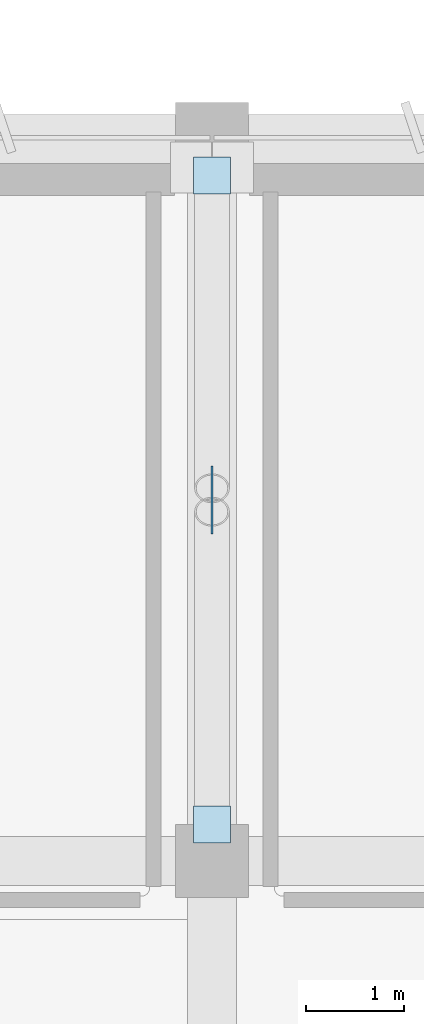
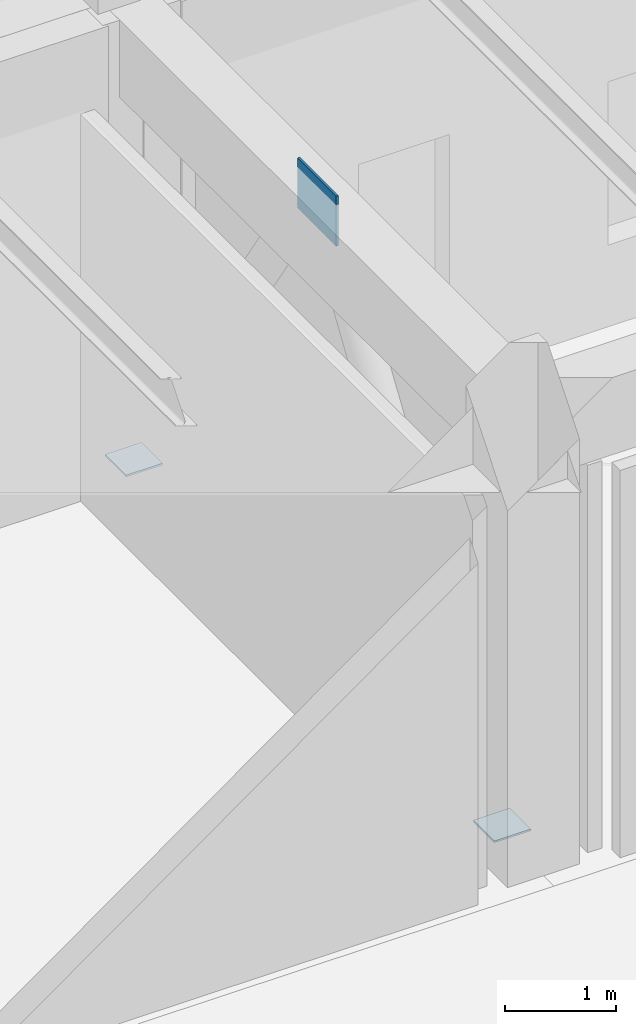
# One storey, part 14 of 56: 3 plates.
"""IFC4 building model written with IfcOpenShell, lengths in metres."""

from ifc_helpers import new_model, si_unit, direction, frame, origin, origin_2d, place, context, subcontext, project, spatial, rectangle, extrude, material, layer, layer_set, type_object, element, save


model = new_model("IFC4")

# Units and contexts
model_context = context("Model", 3, precision=1e-05, world=origin(), true_north=direction((0.0, 1.0)))
body_context = subcontext(model_context, "Body", "Model", "MODEL_VIEW")
ifc_project = project(units=[si_unit("LENGTHUNIT", "METRE"), si_unit("AREAUNIT", "SQUARE_METRE"), si_unit("VOLUMEUNIT", "CUBIC_METRE"), si_unit("PLANEANGLEUNIT", "RADIAN"), si_unit("MASSUNIT", "GRAM", prefix="KILO")], contexts=[model_context])

# Site, building, storey
site_placement = place(None, origin())
site = spatial("IfcSite", under=ifc_project, at=site_placement, CompositionType="ELEMENT")
building_placement = place(site_placement, origin())
building = spatial("IfcBuilding", under=site, at=building_placement, Name="Valkorina Park Police Headquarters", CompositionType="ELEMENT")
storey_placement = place(building_placement, origin())
storey = spatial("IfcBuildingStorey", under=building, at=storey_placement, Name="L01", CompositionType="ELEMENT", Elevation=0.0)

# Plates
ifc_material = material(Name="Steel S355", Category="steel")
ifc_layer_1 = layer(ifc_material, 0.02001953125)
ifc_layer_set_1 = layer_set([ifc_layer_1], Name="Steel S355")
plate_type_1 = type_object("IfcPlateType", Name="PL-ENDCAP-20", PredefinedType="USERDEFINED", material=ifc_layer_set_1)
for number, where, z_axis, x_axis, name in (
    (1, (24.800048828125, 52.175048828125, 0.090087890625), (0.0, 0.0, 1.0), (1.0, 0.0, 0.0), "Brace Base End Cap Plate 199"),
    (2, (24.800048828125, 58.824951171875, 0.090087890625), (0.0, 0.0, 1.0), (1.0, 0.0, 0.0), "Brace Base End Cap Plate 200"),
):
    element("IfcPlate", number, at=place(storey_placement, frame(where, z_axis=z_axis, x_axis=x_axis)), inside=storey, type_object=plate_type_1, Name=name, ObjectType="END CAP PLATE", PredefinedType="USERDEFINED", context=body_context, shape_type="SweptSolid", body=[
        extrude(rectangle(XDim=0.3798828125, YDim=0.3798828125, at=origin_2d()), origin(), (0.0, 0.0, 1.0), 0.02001953125),
    ])
ifc_layer_2 = layer(ifc_material, 0.02392578125)
ifc_layer_set_2 = layer_set([ifc_layer_2], Name="Steel S355")
plate_type_2 = type_object("IfcPlateType", Name="PL-GUSSET-24", PredefinedType="USERDEFINED", material=ifc_layer_set_2)
plate_placement = place(storey_placement, frame((24.800048828125, 55.5, 4.68505859375), z_axis=(0.0, 0.0, 1.0), x_axis=(1.0, 0.0, 0.0)))
element("IfcPlate", 3, at=plate_placement, inside=storey, type_object=plate_type_2, Name="Chevron Apex Gusset Plate CBF-04 201", ObjectType="GUSSET PLATE", PredefinedType="USERDEFINED", context=body_context, shape_type="SweptSolid", body=[
    extrude(rectangle(XDim=0.02392578125, YDim=0.699951171875, at=origin_2d()), origin(), (0.0, 0.0, 1.0), 0.550048828125),
])

save(model, "model.ifc")
